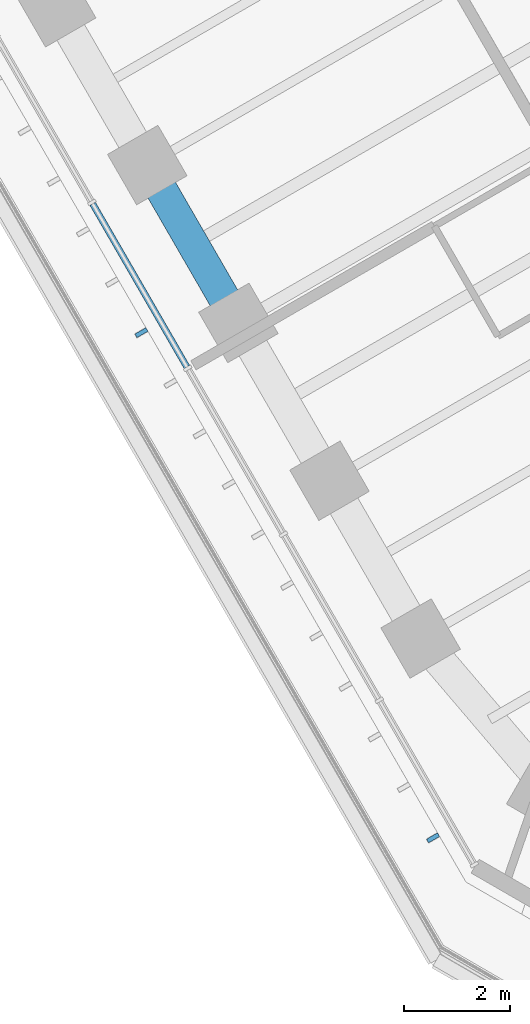
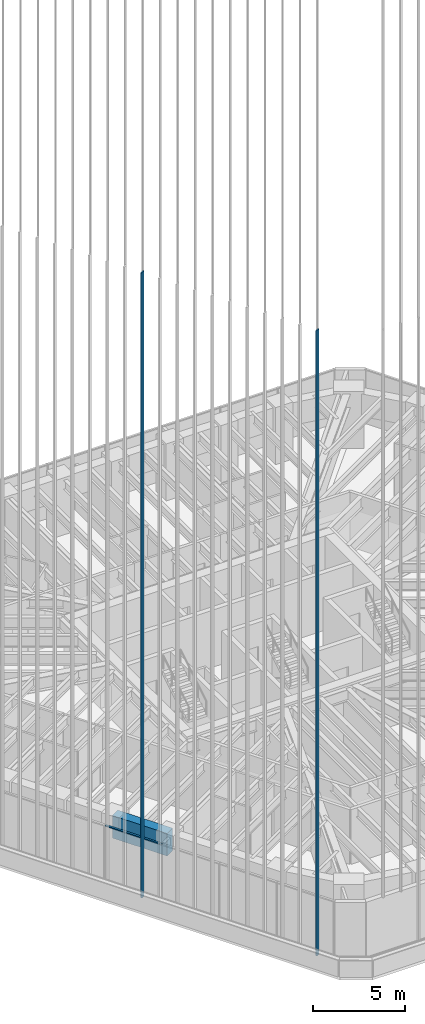
# One storey, part 6 of 127: 3 members, 1 beam, 1 element without a shape of its own.
"""IFC4 building model written with IfcOpenShell, lengths in metres."""

from ifc_helpers import new_model, si_unit, direction, frame, origin, origin_2d, place, context, subcontext, project, spatial, rectangle, extrude, material, material_profile, profile_set, type_object, element, aggregate, save


model = new_model("IFC4")

# Units and contexts
model_context = context("Model", 3, precision=1e-05, world=origin(), true_north=direction((0.0, 1.0)))
body_context = subcontext(model_context, "Body", "Model", "MODEL_VIEW")
ifc_project = project(units=[si_unit("LENGTHUNIT", "METRE"), si_unit("AREAUNIT", "SQUARE_METRE"), si_unit("VOLUMEUNIT", "CUBIC_METRE"), si_unit("PLANEANGLEUNIT", "RADIAN"), si_unit("MASSUNIT", "GRAM", prefix="KILO")], contexts=[model_context])

# Site, building, storey
site_placement = place(None, origin())
site = spatial("IfcSite", under=ifc_project, at=site_placement, CompositionType="ELEMENT")
building_placement = place(site_placement, origin())
building = spatial("IfcBuilding", under=site, at=building_placement, Name="Sandreach Pilgrim Tower", CompositionType="ELEMENT")
storey_placement = place(building_placement, frame((0.0, 0.0, 257.0)))
storey = spatial("IfcBuildingStorey", under=building, at=storey_placement, Name="L64", CompositionType="ELEMENT", Elevation=257.0)

# Curtain wall, member
ifc_material_1 = material(Name="Aluminium framed curtain wall", Category="aluminium")
curtain_wall_type = type_object("IfcCurtainWallType", Name="Suite tower curtain wall", PredefinedType="NOTDEFINED", material=ifc_material_1)
curtain_wall_placement = place(storey_placement, origin())
curtain_wall = element("IfcCurtainWall", 1, at=curtain_wall_placement, inside=storey, type_object=curtain_wall_type, Name="CW-4 L64 SW", PredefinedType="NOTDEFINED")
ifc_material_2 = material(Name="Aluminium extrusion", Category="aluminium")
ifc_material_profile_1 = material_profile(ifc_material_2, rectangle(XDim=0.1201171875, YDim=0.070068359375, at=origin_2d()), Name="CW-4T 120X70")
ifc_profile_set_1 = profile_set([ifc_material_profile_1], Name="Aluminium extrusion")
member_type_1 = type_object("IfcMemberType", Name="CW-4 transom", PredefinedType="USERDEFINED", material=ifc_profile_set_1)
member_1_placement = place(storey_placement, frame((-14.46875, -14.59228515625, 3.60498046875), z_axis=(-0.500009219579, 0.866020080793, 0.0), x_axis=(-0.866020080793, -0.500009219579, 0.0)))
member_1 = element("IfcMember", 2, at=member_1_placement, type_object=member_type_1, Name="CW-4 head transom 4", ObjectType="TRANSOM", PredefinedType="USERDEFINED", context=body_context, shape_type="SweptSolid", body=[
    extrude(rectangle(XDim=0.1201171875, YDim=0.070068359375, at=origin_2d()), origin(), (0.0, 0.0, 1.0), 3.56201171875),
])

# Beam
ifc_material_3 = material(Name="Concrete 10000 psi", Category="concrete")
ifc_material_profile_2 = material_profile(ifc_material_3, rectangle(XDim=0.60009765625, YDim=1.5, at=origin_2d()), Name="RC600X1500")
ifc_profile_set_2 = profile_set([ifc_material_profile_2], Name="Concrete 10000 psi")
beam_type = type_object("IfcBeamType", Name="Spandrel beam RC600X1500", PredefinedType="SPANDREL", material=ifc_profile_set_2)
beam_placement = place(storey_placement, frame((-13.4951171875, -13.758544921875, 2.889892578125), z_axis=(-0.500010754882, 0.866019194361, 0.0), x_axis=(-0.866019194361, -0.500010754882, 0.0)))
element("IfcBeam", 3, at=beam_placement, inside=storey, type_object=beam_type, Name="BM L64 SP29", PredefinedType="SPANDREL", context=body_context, shape_type="SweptSolid", body=[
    extrude(rectangle(XDim=0.60009765625, YDim=1.5, at=origin_2d()), origin(), (0.0, 0.0, 1.0), 3.4453125),
])

# Member
ifc_material_4 = material(Name="Extruded terracotta on aluminium core", Category="masonry")
ifc_material_profile_3 = material_profile(ifc_material_4, rectangle(XDim=0.080078125, YDim=0.239990234375, at=origin_2d()), Name="TBW 80X240")
ifc_profile_set_3 = profile_set([ifc_material_profile_3], Name="Extruded terracotta on aluminium core")
member_type_2 = type_object("IfcMemberType", Name="Terracotta baguette west", PredefinedType="USERDEFINED", material=ifc_profile_set_3)
member_2_placement = place(storey_placement, frame((-9.81494140625, -23.4931640625, 0.0), z_axis=(0.0, 0.0, 1.0), x_axis=(-0.5, 0.866025403784, 0.0)))
member_2 = element("IfcMember", 4, at=member_2_placement, type_object=member_type_2, Name="Baguette Z4 SW01", ObjectType="BAGUETTE", PredefinedType="USERDEFINED", context=body_context, shape_type="SweptSolid", body=[
    extrude(rectangle(XDim=0.080078125, YDim=0.239990234375, at=origin_2d()), origin(), (0.0, 0.0, 1.0), 41.639892578125),
])

member_3_placement = place(storey_placement, frame((-15.328369140625, -13.943115234375, 0.0), z_axis=(0.0, 0.0, 1.0), x_axis=(-0.5, 0.866025403784, 0.0)))
member_3 = element("IfcMember", 5, at=member_3_placement, type_object=member_type_2, Name="Baguette Z4 SW11", ObjectType="BAGUETTE", PredefinedType="USERDEFINED", context=body_context, shape_type="SweptSolid", body=[
    extrude(rectangle(XDim=0.080078125, YDim=0.239990234375, at=origin_2d()), origin(), (0.0, 0.0, 1.0), 41.639892578125),
])

aggregate(curtain_wall, [member_1, member_2, member_3])

save(model, "model.ifc")
